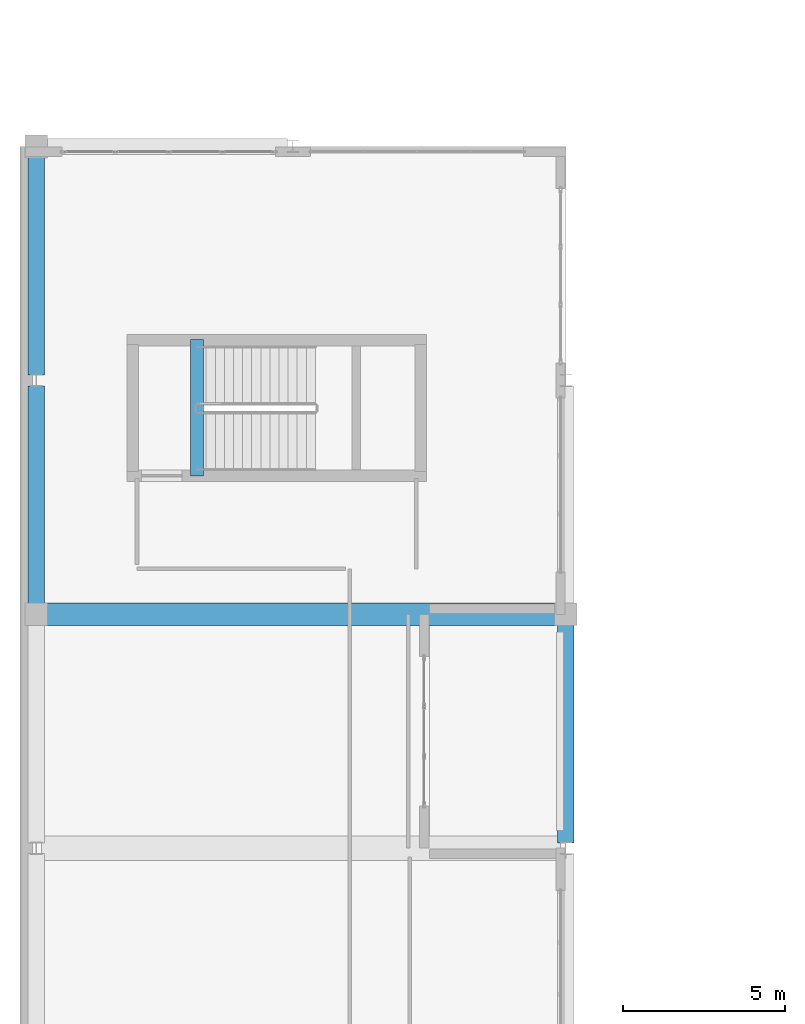
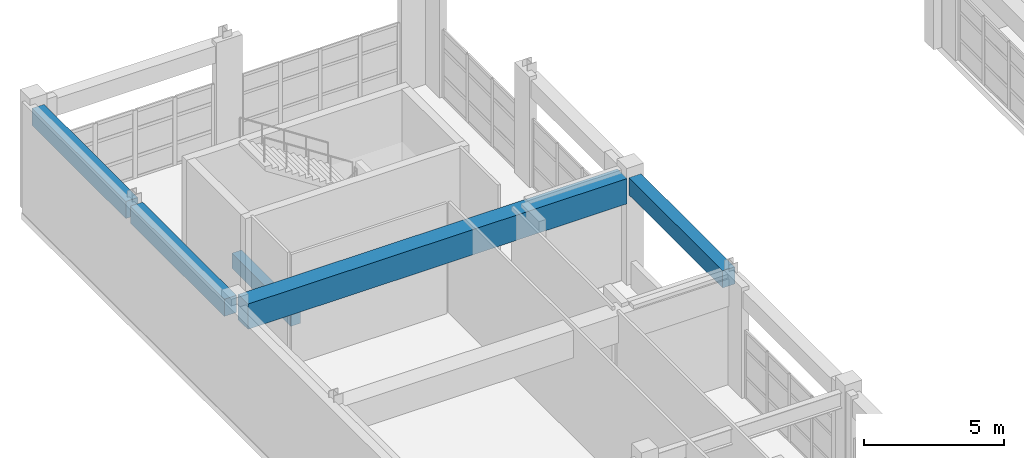
# One storey, part 23 of 103: 5 beams.
"""IFC4 building model written with IfcOpenShell, lengths in metres."""

from ifc_helpers import new_model, si_unit, direction, frame, origin, origin_2d, place, context, subcontext, project, spatial, rectangle, extrude, material, material_profile, profile_set, type_object, element, save


model = new_model("IFC4")

# Units and contexts
model_context = context("Model", 3, precision=1e-05, world=origin(), true_north=direction((0.0, 1.0)))
body_context = subcontext(model_context, "Body", "Model", "MODEL_VIEW")
ifc_project = project(units=[si_unit("LENGTHUNIT", "METRE"), si_unit("AREAUNIT", "SQUARE_METRE"), si_unit("VOLUMEUNIT", "CUBIC_METRE"), si_unit("PLANEANGLEUNIT", "RADIAN"), si_unit("MASSUNIT", "GRAM", prefix="KILO")], contexts=[model_context])

# Site, building, storey
site_placement = place(None, origin())
site = spatial("IfcSite", under=ifc_project, at=site_placement, CompositionType="ELEMENT")
building_placement = place(site_placement, origin())
building = spatial("IfcBuilding", under=site, at=building_placement, Name="Quendrovan Civic Courthouse", CompositionType="ELEMENT")
storey_placement = place(building_placement, frame((0.0, 0.0, 15.300048828125)))
storey = spatial("IfcBuildingStorey", under=building, at=storey_placement, Name="L04", CompositionType="ELEMENT", Elevation=15.300048828125)

# Beams
ifc_material_1 = material(Name="Post-tensioned concrete C50/60", Category="concrete")
ifc_material_profile_1 = material_profile(ifc_material_1, rectangle(XDim=0.699951171875, YDim=1.10009765625, at=origin_2d()), Name="PT-GIRD-700x1100")
ifc_profile_set_1 = profile_set([ifc_material_profile_1], Name="Post-tensioned concrete C50/60")
beam_type_1 = type_object("IfcBeamType", Name="BM-PT1100", PredefinedType="BEAM", material=ifc_profile_set_1)
beam_1_placement = place(storey_placement, frame((0.830078125, 80.39990234375, 4.10986328125), z_axis=(1.0, 0.0, 0.0), x_axis=(0.0, 1.0, 0.0)))
element("IfcBeam", 1, at=beam_1_placement, inside=storey, type_object=beam_type_1, Name="L04 Girder X0909", PredefinedType="BEAM", context=body_context, shape_type="SweptSolid", body=[
    extrude(rectangle(XDim=0.699951171875, YDim=1.10009765625, at=origin_2d()), origin(), (0.0, 0.0, 1.0), 15.639892578125),
])
ifc_material_2 = material(Name="Concrete C40/50", Category="concrete")
ifc_material_profile_2 = material_profile(ifc_material_2, rectangle(XDim=0.39990234375, YDim=0.64990234375, at=origin_2d()), Name="RC-BM-400x650")
ifc_profile_set_2 = profile_set([ifc_material_profile_2], Name="Concrete C40/50")
beam_type_2 = type_object("IfcBeamType", Name="BM-RC650", PredefinedType="JOIST", material=ifc_profile_set_2)
beam_2_placement = place(storey_placement, frame((5.449951171875, 84.64990234375, -0.324951171875), z_axis=(0.0, 1.0, 0.0), x_axis=(-1.0, 0.0, 0.0)))
element("IfcBeam", 2, at=beam_2_placement, inside=storey, type_object=beam_type_2, Name="L04 Stair ST8 Landing Trimmer Beam", PredefinedType="JOIST", context=body_context, shape_type="SweptSolid", body=[
    extrude(rectangle(XDim=0.39990234375, YDim=0.64990234375, at=origin_2d()), origin(), (0.0, 0.0, 1.0), 4.2001953125),
])
ifc_material_profile_3 = material_profile(ifc_material_2, rectangle(XDim=0.5, YDim=0.75, at=origin_2d()), Name="RC-BM-500x750")
ifc_profile_set_3 = profile_set([ifc_material_profile_3], Name="Concrete C40/50")
beam_type_3 = type_object("IfcBeamType", Name="BM-RC750", PredefinedType="SPANDREL", material=ifc_profile_set_3)
beam_3_placement = place(storey_placement, frame((0.5, 80.72998046875, 4.284912109375), z_axis=(0.0, 1.0, 0.0), x_axis=(-1.0, 0.0, 0.0)))
element("IfcBeam", 3, at=beam_3_placement, inside=storey, type_object=beam_type_3, Name="L04 Girder Y0946", PredefinedType="SPANDREL", context=body_context, shape_type="SweptSolid", body=[
    extrude(rectangle(XDim=0.5, YDim=0.75, at=origin_2d()), origin(), (0.0, 0.0, 1.0), 6.7041015625),
])
beam_4_placement = place(storey_placement, frame((0.5, 87.76611328125, 4.284912109375), z_axis=(0.0, 1.0, 0.0), x_axis=(-1.0, 0.0, 0.0)))
element("IfcBeam", 4, at=beam_4_placement, inside=storey, type_object=beam_type_3, Name="L04 Girder Y0947", PredefinedType="SPANDREL", context=body_context, shape_type="SweptSolid", body=[
    extrude(rectangle(XDim=0.5, YDim=0.75, at=origin_2d()), origin(), (0.0, 0.0, 1.0), 6.703857421875),
])
beam_5_placement = place(storey_placement, frame((16.800048828125, 73.365966796875, 4.284912109375), z_axis=(0.0, 1.0, 0.0), x_axis=(-1.0, 0.0, 0.0)))
element("IfcBeam", 5, at=beam_5_placement, inside=storey, type_object=beam_type_3, Name="L04 Girder Y0960", PredefinedType="SPANDREL", context=body_context, shape_type="SweptSolid", body=[
    extrude(rectangle(XDim=0.5, YDim=0.75, at=origin_2d()), origin(), (0.0, 0.0, 1.0), 6.7041015625),
])

save(model, "model.ifc")
